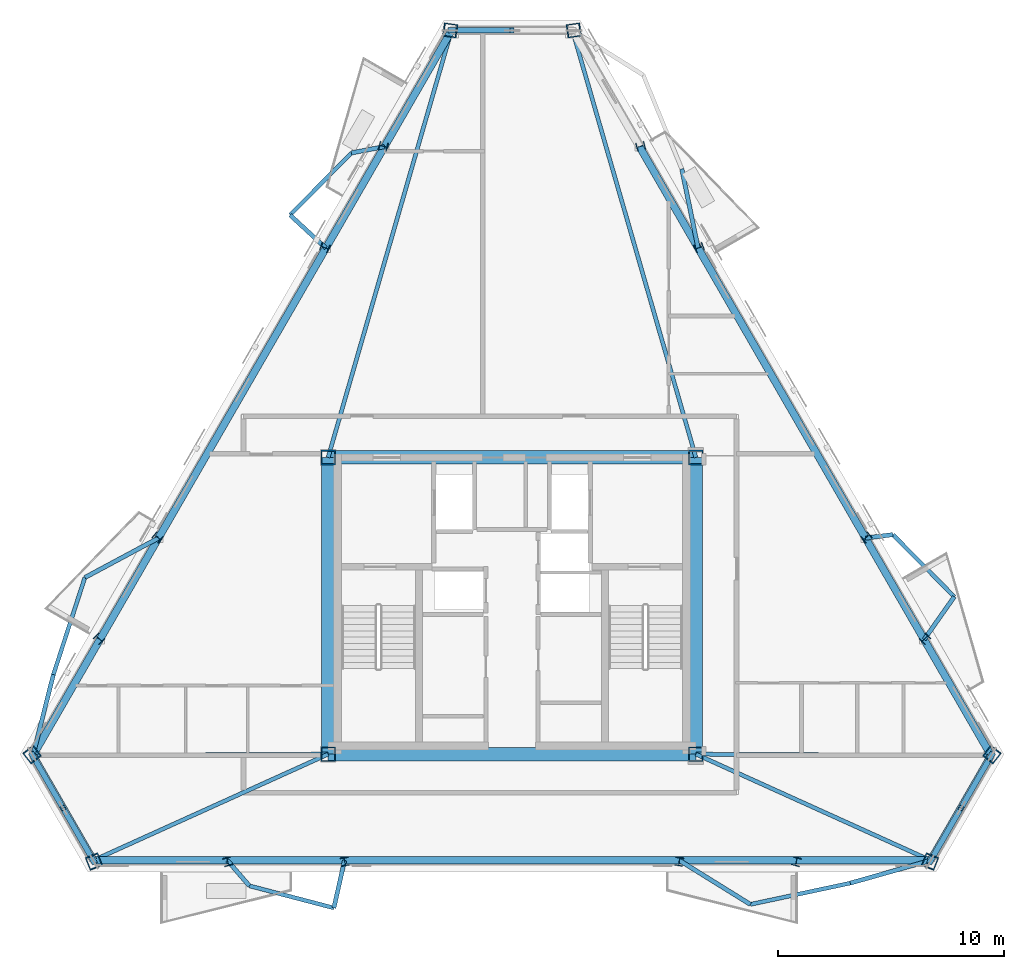
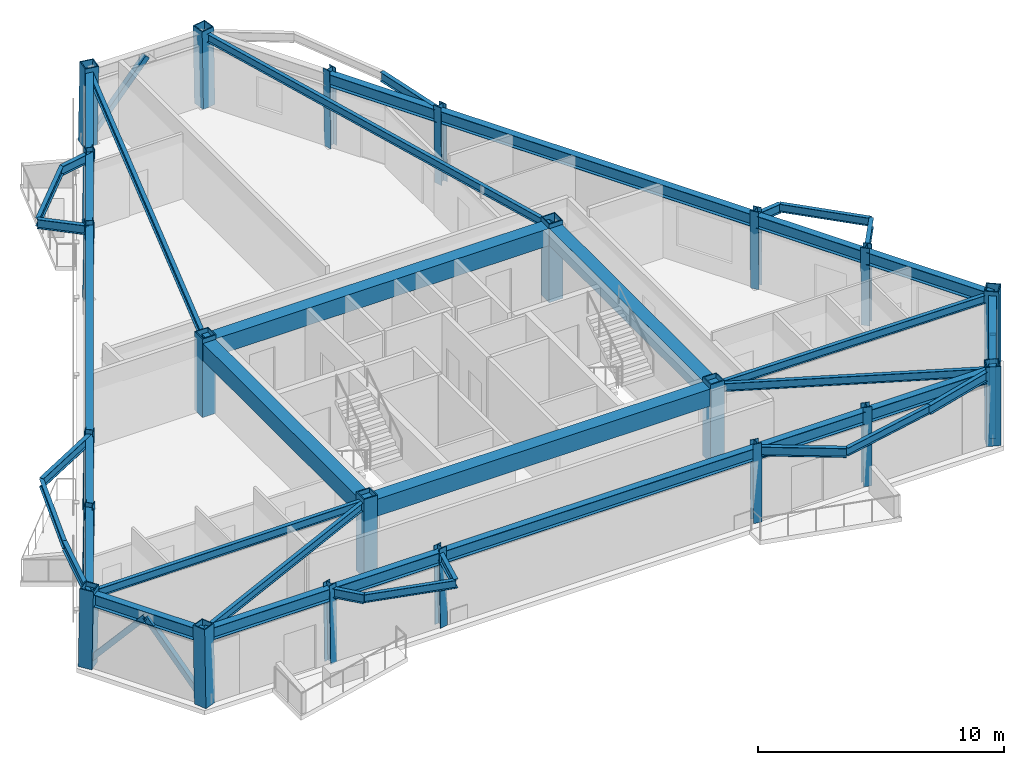
# One storey, part 1 of 9: 42 beams, 22 columns, 5 members.
"""IFC4 building model written with IfcOpenShell, lengths in metres."""

from ifc_helpers import new_model, si_unit, direction, frame, origin, origin_2d, place, context, subcontext, project, spatial, rectangle, hollow_rectangle, i_section, extrude, material, material_profile, profile_set, type_object, element, save


model = new_model("IFC4")

# Units and contexts
model_context = context("Model", 3, precision=1e-05, world=origin(), true_north=direction((0.0, 1.0)))
body_context = subcontext(model_context, "Body", "Model", "MODEL_VIEW")
ifc_project = project(units=[si_unit("LENGTHUNIT", "METRE"), si_unit("AREAUNIT", "SQUARE_METRE"), si_unit("VOLUMEUNIT", "CUBIC_METRE"), si_unit("PLANEANGLEUNIT", "RADIAN"), si_unit("MASSUNIT", "GRAM", prefix="KILO")], contexts=[model_context])

# Site, building, storey
site_placement = place(None, origin())
site = spatial("IfcSite", under=ifc_project, at=site_placement, CompositionType="ELEMENT")
building_placement = place(site_placement, origin())
building = spatial("IfcBuilding", under=site, at=building_placement, Name="Oramaril Tower", CompositionType="ELEMENT")
storey_placement = place(building_placement, frame((0.0, 0.0, 249.89990234375)))
storey = spatial("IfcBuildingStorey", under=building, at=storey_placement, Name="L66", CompositionType="ELEMENT", Elevation=249.89990234375)

# Columns
ifc_material_1 = material(Name="Steel ASTM A572 Gr 50", Category="steel")
ifc_material_profile_1 = material_profile(ifc_material_1, hollow_rectangle(XDim=0.64990234375, YDim=0.64990234375, WallThickness=0.050048828125, at=origin_2d()), Name="BOX650X650X50")
ifc_profile_set_1 = profile_set([ifc_material_profile_1], Name="Steel ASTM A572 Gr 50")
column_type_1 = type_object("IfcColumnType", Name="CT-CC5", PredefinedType="COLUMN", material=ifc_profile_set_1)
for number, where, z_axis, x_axis, name in (
    (1, (29.35009765625, 11.0, 0.0), (0.0, 0.0, 1.0), (1.0, 0.0, 0.0), "L66 Core Column CC-1"),
    (2, (45.64990234375, 11.0, 0.0), (0.0, 0.0, 1.0), (1.0, 0.0, 0.0), "L66 Core Column CC-2"),
    (3, (45.64990234375, 24.14990234375, 0.0), (0.0, 0.0, 1.0), (1.0, 0.0, 0.0), "L66 Core Column CC-3"),
    (4, (29.35009765625, 24.14990234375, 0.0), (0.0, 0.0, 1.0), (1.0, 0.0, 0.0), "L66 Core Column CC-4"),
):
    element("IfcColumn", number, at=place(storey_placement, frame(where, z_axis=z_axis, x_axis=x_axis)), inside=storey, type_object=column_type_1, Name=name, PredefinedType="COLUMN", context=body_context, shape_type="SweptSolid", body=[
        extrude(hollow_rectangle(XDim=0.64990234375, YDim=0.64990234375, WallThickness=0.050048828125, at=origin_2d()), origin(), (0.0, 0.0, 1.0), 3.900146484375),
    ])
ifc_material_2 = material(Name="Steel ASTM A572 Gr 50", Category="steel")
ifc_material_profile_2 = material_profile(ifc_material_2, hollow_rectangle(XDim=0.60009765625, YDim=0.60009765625, WallThickness=0.044921875, at=origin_2d()), Name="BOX600X600X45")
ifc_profile_set_2 = profile_set([ifc_material_profile_2], Name="Steel ASTM A572 Gr 50")
column_type_2 = type_object("IfcColumnType", Name="CT-TC5", PredefinedType="COLUMN", material=ifc_profile_set_2)
for number, where, z_axis, x_axis, name in (
    (5, (16.2255859375, 10.990478515625, 0.004638671875), (0.01053996256, -0.013488642562, 0.99985347212), (0.787968806974, 0.615715160798, 0.0), "L66 Tube Column TC-01"),
    (6, (18.973876953125, 6.23046875, 0.004638671875), (-0.006399263436, 0.015872682837, 0.999853542959), (-0.927461977785, -0.37391747721, 0.0), "L66 Tube Column TC-02"),
    (7, (56.026123046875, 6.23046875, 0.004638671875), (0.006399263436, 0.015872682837, 0.999853542959), (-0.927461977785, 0.37391747721, 0.0), "L66 Tube Column TC-03"),
    (8, (58.7744140625, 10.990478515625, 0.004638671875), (-0.01053996256, -0.013488642562, 0.99985347212), (0.787968806974, -0.615715160798, 0.0), "L66 Tube Column TC-04"),
    (9, (40.248291015625, 43.0791015625, 0.004638671875), (-0.01700194625, -0.002446774553, 0.999852462675), (0.142443955325, -0.989802869056, 0.0), "L66 Tube Column TC-05"),
    (10, (34.751708984375, 43.0791015625, 0.004638671875), (0.01700194625, -0.002446774553, 0.999852462675), (0.142443955325, 0.989802869056, 0.0), "L66 Tube Column TC-06"),
):
    element("IfcColumn", number, at=place(storey_placement, frame(where, z_axis=z_axis, x_axis=x_axis)), inside=storey, type_object=column_type_2, Name=name, PredefinedType="COLUMN", context=body_context, shape_type="SweptSolid", body=[
        extrude(hollow_rectangle(XDim=0.60009765625, YDim=0.60009765625, WallThickness=0.044921875, at=origin_2d()), origin(), (0.0, 0.0, 1.0), 3.891357421875),
    ])
ifc_material_3 = material(Name="Steel ASTM A572 Gr 50", Category="steel")
ifc_material_profile_3 = material_profile(ifc_material_3, i_section(OverallWidth=0.373046875, OverallDepth=0.373046875, WebThickness=0.016357421875, FlangeThickness=0.026123046875, at=origin_2d()), Name="W14X132")
ifc_profile_set_3 = profile_set([ifc_material_profile_3], Name="Steel ASTM A572 Gr 50")
column_type_3 = type_object("IfcColumnType", Name="CT-TF5", PredefinedType="COLUMN", material=ifc_profile_set_3)
for number, where, z_axis, x_axis, name in (
    (11, (24.902099609375, 6.23046875, 0.004638671875), (-0.004328961577, 0.015872859114, 0.999864647057), (-0.964763821238, -0.263117405792, 0.0), "L66 Tube Column TC-07"),
    (12, (30.089599609375, 6.23046875, 0.004638671875), (-0.002572297109, 0.015872955331, 0.99987070793), (-0.98712213433, -0.159968409121, 0.0), "L66 Tube Column TC-08"),
    (13, (44.910400390625, 6.23046875, 0.004638671875), (0.002572297109, 0.015872955331, 0.99987070793), (-0.98712213433, 0.159968409121, 0.0), "L66 Tube Column TC-09"),
    (14, (50.097900390625, 6.23046875, 0.004638671875), (0.004328961577, 0.015872859114, 0.999864647057), (-0.964763821238, 0.263117405792, 0.0), "L66 Tube Column TC-10"),
    (15, (55.810302734375, 16.124755859375, 0.004638671875), (-0.011606626426, -0.011732103468, 0.999863812712), (0.710898156339, -0.703294967502, 0.0), "L66 Tube Column TC-11"),
    (16, (53.216552734375, 20.616943359375, 0.004638671875), (-0.012485055949, -0.010100974914, 0.999871038526), (0.628973435199, -0.777426792575, 0.0), "L66 Tube Column TC-12"),
    (17, (45.80615234375, 33.452392578125, 0.004638671875), (-0.01505734327, -0.005709242657, 0.999870332074), (0.354536784077, -0.935042067896, 0.0), "L66 Tube Column TC-13"),
    (18, (43.21240234375, 37.94482421875, 0.004638671875), (-0.015935594489, -0.004140745025, 0.999864446342), (0.251491081289, -0.96785961587, 0.0), "L66 Tube Column TC-14"),
    (19, (31.78759765625, 37.94482421875, 0.004638671875), (0.015935594489, -0.004140745025, 0.999864446342), (0.251491081289, 0.96785961587, 0.0), "L66 Tube Column TC-15"),
    (20, (29.19384765625, 33.452392578125, 0.004638671875), (0.01505734327, -0.005709242657, 0.999870332074), (0.354536784077, 0.935042067896, 0.0), "L66 Tube Column TC-16"),
    (21, (21.783447265625, 20.6171875, 0.004638671875), (0.012485048013, -0.010163707428, 0.999870402916), (0.6313259102, 0.775517630431, 0.0), "L66 Tube Column TC-17"),
    (22, (19.189697265625, 16.124755859375, 0.004638671875), (0.011606626426, -0.011732103468, 0.999863812712), (0.710898156339, 0.703294967502, 0.0), "L66 Tube Column TC-18"),
):
    element("IfcColumn", number, at=place(storey_placement, frame(where, z_axis=z_axis, x_axis=x_axis)), inside=storey, type_object=column_type_3, Name=name, PredefinedType="COLUMN", context=body_context, shape_type="SweptSolid", body=[
        extrude(i_section(OverallWidth=0.373046875, OverallDepth=0.373046875, WebThickness=0.016357421875, FlangeThickness=0.026123046875, at=origin_2d()), origin(), (0.0, 0.0, 1.0), 3.891357421875),
    ])

# Beams
ifc_material_4 = material(Name="Steel ASTM A572 Gr 50", Category="steel")
ifc_material_profile_4 = material_profile(ifc_material_4, i_section(OverallWidth=0.19091796875, OverallDepth=0.45703125, WebThickness=0.009033203125, FlangeThickness=0.014404296875, at=origin_2d()), Name="W18X50")
ifc_profile_set_4 = profile_set([ifc_material_profile_4], Name="Steel ASTM A572 Gr 50")
beam_type_1 = type_object("IfcBeamType", Name="BT-BB1", PredefinedType="BEAM", material=ifc_profile_set_4)
beam_1_placement = place(storey_placement, frame((24.88525390625, 6.292236328125, 3.45166015625), z_axis=(0.654369545374, -0.756174912363, 0.0), x_axis=(0.756174912363, 0.654369545374, 0.0)))
element("IfcBeam", 23, at=beam_1_placement, inside=storey, type_object=beam_type_1, Name="L66 Balcony Column-Framed Cantilever 01.1", PredefinedType="BEAM", context=body_context, shape_type="SweptSolid", body=[
    extrude(i_section(OverallWidth=0.19091796875, OverallDepth=0.45703125, WebThickness=0.009033203125, FlangeThickness=0.014404296875, at=origin_2d()), origin(), (0.0, 0.0, 1.0), 1.49169921875),
])
beam_2_placement = place(storey_placement, frame((30.07958984375, 6.292236328125, 3.45166015625), z_axis=(-0.219549837647, -0.975601285766, 0.0), x_axis=(0.975601285766, -0.219549837647, 0.0)))
element("IfcBeam", 24, at=beam_2_placement, inside=storey, type_object=beam_type_1, Name="L66 Balcony Column-Framed Cantilever 01.2", PredefinedType="BEAM", context=body_context, shape_type="SweptSolid", body=[
    extrude(i_section(OverallWidth=0.19091796875, OverallDepth=0.45703125, WebThickness=0.009033203125, FlangeThickness=0.014404296875, at=origin_2d()), origin(), (0.0, 0.0, 1.0), 2.16064453125),
])
for number, where, z_axis, x_axis, name in (
    (25, (44.92041015625, 6.292236328125, 3.45166015625), (0.849861318634, -0.527006393784, 0.0), (0.527006393784, 0.849861318634, 0.0), "L66 Balcony Column-Framed Cantilever 02.1"),
    (26, (56.051025390625, 6.292236328125, 3.45166015625), (-0.96224518264, -0.272184144442, 0.0), (0.272184144442, -0.96224518264, 0.0), "L66 Balcony Column-Framed Cantilever 02.2"),
):
    element("IfcBeam", number, at=place(storey_placement, frame(where, z_axis=z_axis, x_axis=x_axis)), inside=storey, type_object=beam_type_1, Name=name, PredefinedType="BEAM", context=body_context, shape_type="SweptSolid", body=[
        extrude(i_section(OverallWidth=0.19091796875, OverallDepth=0.45703125, WebThickness=0.009033203125, FlangeThickness=0.014404296875, at=origin_2d()), origin(), (0.0, 0.0, 1.0), 3.699951171875),
    ])
beam_3_placement = place(storey_placement, frame((55.76513671875, 16.0791015625, 3.45166015625), z_axis=(0.575787524235, 0.817599368233, 0.0), x_axis=(-0.817599368233, 0.575787524235, 0.0)))
element("IfcBeam", 27, at=beam_3_placement, inside=storey, type_object=beam_type_1, Name="L66 Balcony Column-Framed Cantilever 03.1", PredefinedType="BEAM", context=body_context, shape_type="SweptSolid", body=[
    extrude(i_section(OverallWidth=0.19091796875, OverallDepth=0.45703125, WebThickness=0.009033203125, FlangeThickness=0.014404296875, at=origin_2d()), origin(), (0.0, 0.0, 1.0), 2.3232421875),
])
beam_4_placement = place(storey_placement, frame((53.16796875, 20.57763671875, 3.45166015625), z_axis=(0.992145333809, 0.125090513633, 0.0), x_axis=(-0.125090513633, 0.992145333809, 0.0)))
element("IfcBeam", 28, at=beam_4_placement, inside=storey, type_object=beam_type_1, Name="L66 Balcony Column-Framed Cantilever 03.2", PredefinedType="BEAM", context=body_context, shape_type="SweptSolid", body=[
    extrude(i_section(OverallWidth=0.19091796875, OverallDepth=0.45703125, WebThickness=0.009033203125, FlangeThickness=0.014404296875, at=origin_2d()), origin(), (0.0, 0.0, 1.0), 1.2236328125),
])
beam_5_placement = place(storey_placement, frame((45.74755859375, 33.43017578125, 3.45166015625), z_axis=(-0.201776016704, 0.979431691892, 0.0), x_axis=(-0.979431691892, -0.201776016704, 0.0)))
element("IfcBeam", 29, at=beam_5_placement, inside=storey, type_object=beam_type_1, Name="L66 Balcony Column-Framed Cantilever 04.1", PredefinedType="BEAM", context=body_context, shape_type="SweptSolid", body=[
    extrude(i_section(OverallWidth=0.19091796875, OverallDepth=0.45703125, WebThickness=0.009033203125, FlangeThickness=0.014404296875, at=origin_2d()), origin(), (0.0, 0.0, 1.0), 3.58154296875),
])
beam_6_placement = place(storey_placement, frame((31.849609375, 37.9287109375, 3.45166015625), z_axis=(-0.982032121098, -0.188713839271, 0.0), x_axis=(0.188713839271, -0.982032121098, 0.0)))
element("IfcBeam", 30, at=beam_6_placement, inside=storey, type_object=beam_type_1, Name="L66 Balcony Column-Framed Cantilever 05.1", PredefinedType="BEAM", context=body_context, shape_type="SweptSolid", body=[
    extrude(i_section(OverallWidth=0.19091796875, OverallDepth=0.45703125, WebThickness=0.009033203125, FlangeThickness=0.014404296875, at=origin_2d()), origin(), (0.0, 0.0, 1.0), 1.49169921875),
])
beam_7_placement = place(storey_placement, frame((29.25244140625, 33.43017578125, 3.45166015625), z_axis=(-0.735115263646, 0.677942142926, 0.0), x_axis=(-0.677942142926, -0.735115263646, 0.0)))
element("IfcBeam", 31, at=beam_7_placement, inside=storey, type_object=beam_type_1, Name="L66 Balcony Column-Framed Cantilever 05.2", PredefinedType="BEAM", context=body_context, shape_type="SweptSolid", body=[
    extrude(i_section(OverallWidth=0.19091796875, OverallDepth=0.45703125, WebThickness=0.009033203125, FlangeThickness=0.014404296875, at=origin_2d()), origin(), (0.0, 0.0, 1.0), 2.16064453125),
])
beam_8_placement = place(storey_placement, frame((21.83203125, 20.57763671875, 3.45166015625), z_axis=(-0.881329846114, -0.472501536874, 0.0), x_axis=(0.472501536874, -0.881329846114, 0.0)))
element("IfcBeam", 32, at=beam_8_placement, inside=storey, type_object=beam_type_1, Name="L66 Balcony Column-Framed Cantilever 06.1", PredefinedType="BEAM", context=body_context, shape_type="SweptSolid", body=[
    extrude(i_section(OverallWidth=0.19091796875, OverallDepth=0.45703125, WebThickness=0.009033203125, FlangeThickness=0.014404296875, at=origin_2d()), origin(), (0.0, 0.0, 1.0), 3.7001953125),
])
beam_9_placement = place(storey_placement, frame((16.2666015625, 10.93798828125, 3.45166015625), z_axis=(0.245329243552, 0.969439818791, 0.0), x_axis=(-0.969439818791, 0.245329243552, 0.0)))
element("IfcBeam", 33, at=beam_9_placement, inside=storey, type_object=beam_type_1, Name="L66 Balcony Column-Framed Cantilever 06.2", PredefinedType="BEAM", context=body_context, shape_type="SweptSolid", body=[
    extrude(i_section(OverallWidth=0.19091796875, OverallDepth=0.45703125, WebThickness=0.009033203125, FlangeThickness=0.014404296875, at=origin_2d()), origin(), (0.0, 0.0, 1.0), 3.699951171875),
])
ifc_material_5 = material(Name="Concrete C50/60", Category="concrete")
ifc_material_profile_5 = material_profile(ifc_material_5, rectangle(XDim=0.60009765625, YDim=0.85009765625, at=origin_2d()), Name="CB600X850")
ifc_profile_set_5 = profile_set([ifc_material_profile_5], Name="Concrete C50/60")
beam_type_2 = type_object("IfcBeamType", Name="BT-CB2", PredefinedType="BEAM", material=ifc_profile_set_5)
beam_10_placement = place(storey_placement, frame((29.35009765625, 11.0, 3.255126953125), z_axis=(1.0, 0.0, 0.0), x_axis=(0.0, 1.0, 0.0)))
element("IfcBeam", 34, at=beam_10_placement, inside=storey, type_object=beam_type_2, Name="L66 Core Header Beam CB-1", PredefinedType="BEAM", context=body_context, shape_type="SweptSolid", body=[
    extrude(rectangle(XDim=0.60009765625, YDim=0.85009765625, at=origin_2d()), origin(), (0.0, 0.0, 1.0), 16.2998046875),
])
beam_11_placement = place(storey_placement, frame((45.64990234375, 11.0, 3.255126953125), z_axis=(0.0, 1.0, 0.0), x_axis=(-1.0, 0.0, 0.0)))
element("IfcBeam", 35, at=beam_11_placement, inside=storey, type_object=beam_type_2, Name="L66 Core Header Beam CB-2", PredefinedType="BEAM", context=body_context, shape_type="SweptSolid", body=[
    extrude(rectangle(XDim=0.60009765625, YDim=0.85009765625, at=origin_2d()), origin(), (0.0, 0.0, 1.0), 13.14990234375),
])
beam_12_placement = place(storey_placement, frame((45.64990234375, 24.14990234375, 3.255126953125), z_axis=(-1.0, 0.0, 0.0), x_axis=(0.0, -1.0, 0.0)))
element("IfcBeam", 36, at=beam_12_placement, inside=storey, type_object=beam_type_2, Name="L66 Core Header Beam CB-3", PredefinedType="BEAM", context=body_context, shape_type="SweptSolid", body=[
    extrude(rectangle(XDim=0.60009765625, YDim=0.85009765625, at=origin_2d()), origin(), (0.0, 0.0, 1.0), 16.2998046875),
])
beam_13_placement = place(storey_placement, frame((29.35009765625, 24.14990234375, 3.255126953125), z_axis=(0.0, -1.0, 0.0), x_axis=(1.0, 0.0, 0.0)))
element("IfcBeam", 37, at=beam_13_placement, inside=storey, type_object=beam_type_2, Name="L66 Core Header Beam CB-4", PredefinedType="BEAM", context=body_context, shape_type="SweptSolid", body=[
    extrude(rectangle(XDim=0.60009765625, YDim=0.85009765625, at=origin_2d()), origin(), (0.0, 0.0, 1.0), 13.14990234375),
])
ifc_material_6 = material(Name="Steel ASTM A572 Gr 50", Category="steel")
ifc_material_profile_6 = material_profile(ifc_material_6, i_section(OverallWidth=0.177978515625, OverallDepth=0.404052734375, WebThickness=0.007568359375, FlangeThickness=0.010986328125, at=origin_2d()), Name="W16X36")
ifc_profile_set_6 = profile_set([ifc_material_profile_6], Name="Steel ASTM A572 Gr 50")
beam_type_3 = type_object("IfcBeamType", Name="BT-SB1", PredefinedType="BEAM", material=ifc_profile_set_6)
beam_14_placement = place(storey_placement, frame((29.35009765625, 11.0, 3.47802734375), z_axis=(-0.999988767857, -0.004739637004, 0.0), x_axis=(0.004739637004, -0.999988767857, 0.0)))
element("IfcBeam", 38, at=beam_14_placement, inside=storey, type_object=beam_type_3, Name="L66 Radial Primary Beam RB-01", PredefinedType="BEAM", context=body_context, shape_type="SweptSolid", body=[
    extrude(i_section(OverallWidth=0.177978515625, OverallDepth=0.404052734375, WebThickness=0.007568359375, FlangeThickness=0.010986328125, at=origin_2d()), origin(), (0.0, 0.0, 1.0), 13.083740234375),
])
for number, where, z_axis, x_axis, name in (
    (39, (29.35009765625, 11.0, 3.47802734375), (-0.911025880505, -0.41234917855, 0.0), (0.41234917855, -0.911025880505, 0.0), "L66 Radial Primary Beam RB-02"),
    (40, (45.64990234375, 11.0, 3.47802734375), (0.911025880505, -0.41234917855, 0.0), (0.41234917855, 0.911025880505, 0.0), "L66 Radial Primary Beam RB-03"),
):
    element("IfcBeam", number, at=place(storey_placement, frame(where, z_axis=z_axis, x_axis=x_axis)), inside=storey, type_object=beam_type_3, Name=name, PredefinedType="BEAM", context=body_context, shape_type="SweptSolid", body=[
        extrude(i_section(OverallWidth=0.177978515625, OverallDepth=0.404052734375, WebThickness=0.007568359375, FlangeThickness=0.010986328125, at=origin_2d()), origin(), (0.0, 0.0, 1.0), 11.4169921875),
    ])
beam_15_placement = place(storey_placement, frame((45.64990234375, 11.0, 3.47802734375), z_axis=(0.999988767857, -0.004739637004, 0.0), x_axis=(0.004739637004, 0.999988767857, 0.0)))
element("IfcBeam", 41, at=beam_15_placement, inside=storey, type_object=beam_type_3, Name="L66 Radial Primary Beam RB-04", PredefinedType="BEAM", context=body_context, shape_type="SweptSolid", body=[
    extrude(i_section(OverallWidth=0.177978515625, OverallDepth=0.404052734375, WebThickness=0.007568359375, FlangeThickness=0.010986328125, at=origin_2d()), origin(), (0.0, 0.0, 1.0), 13.083740234375),
])
for number, where, z_axis, x_axis, name in (
    (42, (45.64990234375, 24.14990234375, 3.47802734375), (-0.277637542738, 0.960685898128, 0.0), (-0.960685898128, -0.277637542738, 0.0), "L66 Radial Primary Beam RB-05"),
    (43, (29.35009765625, 24.14990234375, 3.47802734375), (0.277637542738, 0.960685898128, 0.0), (-0.960685898128, 0.277637542738, 0.0), "L66 Radial Primary Beam RB-06"),
):
    element("IfcBeam", number, at=place(storey_placement, frame(where, z_axis=z_axis, x_axis=x_axis)), inside=storey, type_object=beam_type_3, Name=name, PredefinedType="BEAM", context=body_context, shape_type="SweptSolid", body=[
        extrude(i_section(OverallWidth=0.177978515625, OverallDepth=0.404052734375, WebThickness=0.007568359375, FlangeThickness=0.010986328125, at=origin_2d()), origin(), (0.0, 0.0, 1.0), 19.69384765625),
    ])
beam_16_placement = place(storey_placement, frame((25.861328125, 5.164306640625, 3.47802734375), z_axis=(0.967407922874, -0.253223045479, 0.0), x_axis=(0.253223045479, 0.967407922874, 0.0)))
element("IfcBeam", 44, at=beam_16_placement, inside=storey, type_object=beam_type_3, Name="L66 Balcony Edge Tie Beam 01", PredefinedType="BEAM", context=body_context, shape_type="SweptSolid", body=[
    extrude(i_section(OverallWidth=0.177978515625, OverallDepth=0.404052734375, WebThickness=0.007568359375, FlangeThickness=0.010986328125, at=origin_2d()), origin(), (0.0, 0.0, 1.0), 3.8701171875),
])
beam_17_placement = place(storey_placement, frame((48.06494140625, 4.34228515625, 3.47802734375), z_axis=(0.978051218358, 0.208364618562, 0.0), x_axis=(-0.208364618562, 0.978051218358, 0.0)))
element("IfcBeam", 45, at=beam_17_placement, inside=storey, type_object=beam_type_3, Name="L66 Balcony Edge Tie Beam 02", PredefinedType="BEAM", context=body_context, shape_type="SweptSolid", body=[
    extrude(i_section(OverallWidth=0.177978515625, OverallDepth=0.404052734375, WebThickness=0.007568359375, FlangeThickness=0.010986328125, at=origin_2d()), origin(), (0.0, 0.0, 1.0), 4.525146484375),
])
for number, where, z_axis, x_axis, name in (
    (46, (57.102783203125, 17.978515625, 3.47802734375), (-0.703026051641, 0.71116409549, 0.0), (-0.71116409549, -0.703026051641, 0.0), "L66 Balcony Edge Tie Beam 03"),
    (47, (30.384765625, 37.647216796875, 3.47802734375), (-0.703026051641, -0.71116409549, 0.0), (0.71116409549, -0.703026051641, 0.0), "L66 Balcony Edge Tie Beam 05"),
):
    element("IfcBeam", number, at=place(storey_placement, frame(where, z_axis=z_axis, x_axis=x_axis)), inside=storey, type_object=beam_type_3, Name=name, PredefinedType="BEAM", context=body_context, shape_type="SweptSolid", body=[
        extrude(i_section(OverallWidth=0.177978515625, OverallDepth=0.404052734375, WebThickness=0.007568359375, FlangeThickness=0.010986328125, at=origin_2d()), origin(), (0.0, 0.0, 1.0), 3.869873046875),
    ])
beam_18_placement = place(storey_placement, frame((18.571044921875, 18.829345703125, 3.47802734375), z_axis=(-0.308643222552, -0.951177880931, 0.0), x_axis=(0.951177880931, -0.308643222552, 0.0)))
element("IfcBeam", 48, at=beam_18_placement, inside=storey, type_object=beam_type_3, Name="L66 Balcony Edge Tie Beam 06", PredefinedType="BEAM", context=body_context, shape_type="SweptSolid", body=[
    extrude(i_section(OverallWidth=0.177978515625, OverallDepth=0.404052734375, WebThickness=0.007568359375, FlangeThickness=0.010986328125, at=origin_2d()), origin(), (0.0, 0.0, 1.0), 4.525390625),
])
ifc_material_7 = material(Name="Steel ASTM A572 Gr 50", Category="steel")
ifc_material_profile_7 = material_profile(ifc_material_7, i_section(OverallWidth=0.324951171875, OverallDepth=0.612060546875, WebThickness=0.0126953125, FlangeThickness=0.01904296875, at=origin_2d()), Name="W24X104")
ifc_profile_set_7 = profile_set([ifc_material_profile_7], Name="Steel ASTM A572 Gr 50")
beam_type_4 = type_object("IfcBeamType", Name="BT-SP5", PredefinedType="SPANDREL", material=ifc_profile_set_7)
beam_19_placement = place(storey_placement, frame((16.2666015625, 10.93798828125, 3.3740234375), z_axis=(0.500020538415, -0.8660135456, 0.0), x_axis=(0.8660135456, 0.500020538415, 0.0)))
element("IfcBeam", 49, at=beam_19_placement, inside=storey, type_object=beam_type_4, Name="L66 Perimeter Spandrel 01", PredefinedType="SPANDREL", context=body_context, shape_type="SweptSolid", body=[
    extrude(i_section(OverallWidth=0.324951171875, OverallDepth=0.612060546875, WebThickness=0.0126953125, FlangeThickness=0.01904296875, at=origin_2d()), origin(), (0.0, 0.0, 1.0), 5.364501953125),
])
beam_20_placement = place(storey_placement, frame((18.948974609375, 6.292236328125, 3.3740234375), z_axis=(1.0, 0.0, 0.0), x_axis=(0.0, 1.0, 0.0)))
element("IfcBeam", 50, at=beam_20_placement, inside=storey, type_object=beam_type_4, Name="L66 Perimeter Spandrel 02", PredefinedType="SPANDREL", context=body_context, shape_type="SweptSolid", body=[
    extrude(i_section(OverallWidth=0.324951171875, OverallDepth=0.612060546875, WebThickness=0.0126953125, FlangeThickness=0.01904296875, at=origin_2d()), origin(), (0.0, 0.0, 1.0), 5.936279296875),
])
beam_21_placement = place(storey_placement, frame((24.88525390625, 6.292236328125, 3.3740234375), z_axis=(1.0, 0.0, 0.0), x_axis=(0.0, 1.0, 0.0)))
element("IfcBeam", 51, at=beam_21_placement, inside=storey, type_object=beam_type_4, Name="L66 Perimeter Spandrel 03", PredefinedType="SPANDREL", context=body_context, shape_type="SweptSolid", body=[
    extrude(i_section(OverallWidth=0.324951171875, OverallDepth=0.612060546875, WebThickness=0.0126953125, FlangeThickness=0.01904296875, at=origin_2d()), origin(), (0.0, 0.0, 1.0), 5.1943359375),
])
beam_22_placement = place(storey_placement, frame((30.07958984375, 6.292236328125, 3.3740234375), z_axis=(1.0, 0.0, 0.0), x_axis=(0.0, 1.0, 0.0)))
element("IfcBeam", 52, at=beam_22_placement, inside=storey, type_object=beam_type_4, Name="L66 Perimeter Spandrel 04", PredefinedType="SPANDREL", context=body_context, shape_type="SweptSolid", body=[
    extrude(i_section(OverallWidth=0.324951171875, OverallDepth=0.612060546875, WebThickness=0.0126953125, FlangeThickness=0.01904296875, at=origin_2d()), origin(), (0.0, 0.0, 1.0), 14.8408203125),
])
beam_23_placement = place(storey_placement, frame((44.92041015625, 6.292236328125, 3.3740234375), z_axis=(1.0, 0.0, 0.0), x_axis=(0.0, 1.0, 0.0)))
element("IfcBeam", 53, at=beam_23_placement, inside=storey, type_object=beam_type_4, Name="L66 Perimeter Spandrel 05", PredefinedType="SPANDREL", context=body_context, shape_type="SweptSolid", body=[
    extrude(i_section(OverallWidth=0.324951171875, OverallDepth=0.612060546875, WebThickness=0.0126953125, FlangeThickness=0.01904296875, at=origin_2d()), origin(), (0.0, 0.0, 1.0), 5.1943359375),
])
beam_24_placement = place(storey_placement, frame((50.11474609375, 6.292236328125, 3.3740234375), z_axis=(1.0, 0.0, 0.0), x_axis=(0.0, 1.0, 0.0)))
element("IfcBeam", 54, at=beam_24_placement, inside=storey, type_object=beam_type_4, Name="L66 Perimeter Spandrel 06", PredefinedType="SPANDREL", context=body_context, shape_type="SweptSolid", body=[
    extrude(i_section(OverallWidth=0.324951171875, OverallDepth=0.612060546875, WebThickness=0.0126953125, FlangeThickness=0.01904296875, at=origin_2d()), origin(), (0.0, 0.0, 1.0), 5.936279296875),
])
beam_25_placement = place(storey_placement, frame((56.051025390625, 6.292236328125, 3.3740234375), z_axis=(0.500020538415, 0.8660135456, 0.0), x_axis=(-0.8660135456, 0.500020538415, 0.0)))
element("IfcBeam", 55, at=beam_25_placement, inside=storey, type_object=beam_type_4, Name="L66 Perimeter Spandrel 07", PredefinedType="SPANDREL", context=body_context, shape_type="SweptSolid", body=[
    extrude(i_section(OverallWidth=0.324951171875, OverallDepth=0.612060546875, WebThickness=0.0126953125, FlangeThickness=0.01904296875, at=origin_2d()), origin(), (0.0, 0.0, 1.0), 5.364501953125),
])
beam_26_placement = place(storey_placement, frame((58.7333984375, 10.93798828125, 3.3740234375), z_axis=(-0.500004874343, 0.866022589563, 0.0), x_axis=(-0.866022589563, -0.500004874343, 0.0)))
element("IfcBeam", 56, at=beam_26_placement, inside=storey, type_object=beam_type_4, Name="L66 Perimeter Spandrel 08", PredefinedType="SPANDREL", context=body_context, shape_type="SweptSolid", body=[
    extrude(i_section(OverallWidth=0.324951171875, OverallDepth=0.612060546875, WebThickness=0.0126953125, FlangeThickness=0.01904296875, at=origin_2d()), origin(), (0.0, 0.0, 1.0), 5.9365234375),
])
beam_27_placement = place(storey_placement, frame((55.76513671875, 16.0791015625, 3.3740234375), z_axis=(-0.499990973765, 0.866030615021, 0.0), x_axis=(-0.866030615021, -0.499990973765, 0.0)))
element("IfcBeam", 57, at=beam_27_placement, inside=storey, type_object=beam_type_4, Name="L66 Perimeter Spandrel 09", PredefinedType="SPANDREL", context=body_context, shape_type="SweptSolid", body=[
    extrude(i_section(OverallWidth=0.324951171875, OverallDepth=0.612060546875, WebThickness=0.0126953125, FlangeThickness=0.01904296875, at=origin_2d()), origin(), (0.0, 0.0, 1.0), 5.1943359375),
])
beam_28_placement = place(storey_placement, frame((53.16796875, 20.57763671875, 3.3740234375), z_axis=(-0.499999659828, 0.866025600183, 0.0), x_axis=(-0.866025600183, -0.499999659828, 0.0)))
element("IfcBeam", 58, at=beam_28_placement, inside=storey, type_object=beam_type_4, Name="L66 Perimeter Spandrel 10", PredefinedType="SPANDREL", context=body_context, shape_type="SweptSolid", body=[
    extrude(i_section(OverallWidth=0.324951171875, OverallDepth=0.612060546875, WebThickness=0.0126953125, FlangeThickness=0.01904296875, at=origin_2d()), origin(), (0.0, 0.0, 1.0), 14.8408203125),
])
beam_29_placement = place(storey_placement, frame((45.74755859375, 33.43017578125, 3.3740234375), z_axis=(-0.499990973765, 0.866030615021, 0.0), x_axis=(-0.866030615021, -0.499990973765, 0.0)))
element("IfcBeam", 59, at=beam_29_placement, inside=storey, type_object=beam_type_4, Name="L66 Perimeter Spandrel 11", PredefinedType="SPANDREL", context=body_context, shape_type="SweptSolid", body=[
    extrude(i_section(OverallWidth=0.324951171875, OverallDepth=0.612060546875, WebThickness=0.0126953125, FlangeThickness=0.01904296875, at=origin_2d()), origin(), (0.0, 0.0, 1.0), 5.1943359375),
])
beam_30_placement = place(storey_placement, frame((34.81787109375, 43.069580078125, 3.3740234375), z_axis=(-0.500022682888, -0.866012307417, 0.0), x_axis=(0.866012307417, -0.500022682888, 0.0)))
element("IfcBeam", 60, at=beam_30_placement, inside=storey, type_object=beam_type_4, Name="L66 Perimeter Spandrel 14", PredefinedType="SPANDREL", context=body_context, shape_type="SweptSolid", body=[
    extrude(i_section(OverallWidth=0.324951171875, OverallDepth=0.612060546875, WebThickness=0.0126953125, FlangeThickness=0.01904296875, at=origin_2d()), origin(), (0.0, 0.0, 1.0), 5.936279296875),
])
beam_31_placement = place(storey_placement, frame((31.849609375, 37.9287109375, 3.3740234375), z_axis=(-0.499990973765, -0.866030615021, 0.0), x_axis=(0.866030615021, -0.499990973765, 0.0)))
element("IfcBeam", 61, at=beam_31_placement, inside=storey, type_object=beam_type_4, Name="L66 Perimeter Spandrel 15", PredefinedType="SPANDREL", context=body_context, shape_type="SweptSolid", body=[
    extrude(i_section(OverallWidth=0.324951171875, OverallDepth=0.612060546875, WebThickness=0.0126953125, FlangeThickness=0.01904296875, at=origin_2d()), origin(), (0.0, 0.0, 1.0), 5.1943359375),
])
beam_32_placement = place(storey_placement, frame((29.25244140625, 33.43017578125, 3.3740234375), z_axis=(-0.499999659828, -0.866025600183, 0.0), x_axis=(0.866025600183, -0.499999659828, 0.0)))
element("IfcBeam", 62, at=beam_32_placement, inside=storey, type_object=beam_type_4, Name="L66 Perimeter Spandrel 16", PredefinedType="SPANDREL", context=body_context, shape_type="SweptSolid", body=[
    extrude(i_section(OverallWidth=0.324951171875, OverallDepth=0.612060546875, WebThickness=0.0126953125, FlangeThickness=0.01904296875, at=origin_2d()), origin(), (0.0, 0.0, 1.0), 14.8408203125),
])
beam_33_placement = place(storey_placement, frame((21.83203125, 20.57763671875, 3.3740234375), z_axis=(-0.499990973765, -0.866030615021, 0.0), x_axis=(0.866030615021, -0.499990973765, 0.0)))
element("IfcBeam", 63, at=beam_33_placement, inside=storey, type_object=beam_type_4, Name="L66 Perimeter Spandrel 17", PredefinedType="SPANDREL", context=body_context, shape_type="SweptSolid", body=[
    extrude(i_section(OverallWidth=0.324951171875, OverallDepth=0.612060546875, WebThickness=0.0126953125, FlangeThickness=0.01904296875, at=origin_2d()), origin(), (0.0, 0.0, 1.0), 5.1943359375),
])
beam_34_placement = place(storey_placement, frame((19.23486328125, 16.0791015625, 3.3740234375), z_axis=(-0.500004874343, -0.866022589563, 0.0), x_axis=(0.866022589563, -0.500004874343, 0.0)))
element("IfcBeam", 64, at=beam_34_placement, inside=storey, type_object=beam_type_4, Name="L66 Perimeter Spandrel 18", PredefinedType="SPANDREL", context=body_context, shape_type="SweptSolid", body=[
    extrude(i_section(OverallWidth=0.324951171875, OverallDepth=0.612060546875, WebThickness=0.0126953125, FlangeThickness=0.01904296875, at=origin_2d()), origin(), (0.0, 0.0, 1.0), 5.9365234375),
])

# Members
ifc_material_8 = material(Name="Steel ASTM A572 Gr 50", Category="steel")
ifc_material_profile_8 = material_profile(ifc_material_8, hollow_rectangle(XDim=0.25, YDim=0.25, WallThickness=0.011962890625, at=origin_2d()), Name="HSS250X250X12")
ifc_profile_set_8 = profile_set([ifc_material_profile_8], Name="Steel ASTM A572 Gr 50")
member_type = type_object("IfcMemberType", Name="MT-KB3", PredefinedType="BRACE", material=ifc_profile_set_8)
member_1_placement = place(storey_placement, frame((16.2255859375, 10.990478515625, 0.18017578125), z_axis=(0.326110698964, -0.564841345683, 0.758027747664), x_axis=(0.866025804792, 0.499999305434, 0.0)))
element("IfcMember", 65, at=member_1_placement, inside=storey, type_object=member_type, Name="L66 Perimeter Chevron Brace KB-1A", PredefinedType="BRACE", context=body_context, shape_type="SweptSolid", body=[
    extrude(hollow_rectangle(XDim=0.25, YDim=0.25, WallThickness=0.011962890625, at=origin_2d()), origin(), (0.0, 0.0, 1.0), 4.21337890625),
])
for number, where, z_axis, x_axis, name in (
    (66, (18.973876953125, 6.23046875, 0.18017578125), (-0.326151804846, 0.5648701271, 0.757988614496), (-0.86600954718, -0.50002746344, 0.0), "L66 Perimeter Chevron Brace KB-1B"),
    (67, (56.026123046875, 6.23046875, 0.18017578125), (0.326151804846, 0.5648701271, 0.757988614496), (-0.86600954718, 0.50002746344, 0.0), "L66 Perimeter Chevron Brace KB-2A"),
):
    element("IfcMember", number, at=place(storey_placement, frame(where, z_axis=z_axis, x_axis=x_axis)), inside=storey, type_object=member_type, Name=name, PredefinedType="BRACE", context=body_context, shape_type="SweptSolid", body=[
        extrude(hollow_rectangle(XDim=0.25, YDim=0.25, WallThickness=0.011962890625, at=origin_2d()), origin(), (0.0, 0.0, 1.0), 4.213623046875),
    ])
member_2_placement = place(storey_placement, frame((58.7744140625, 10.990478515625, 0.18017578125), z_axis=(-0.326110698964, -0.564841345683, 0.758027747664), x_axis=(0.866025804792, -0.499999305434, 0.0)))
element("IfcMember", 68, at=member_2_placement, inside=storey, type_object=member_type, Name="L66 Perimeter Chevron Brace KB-2B", PredefinedType="BRACE", context=body_context, shape_type="SweptSolid", body=[
    extrude(hollow_rectangle(XDim=0.25, YDim=0.25, WallThickness=0.011962890625, at=origin_2d()), origin(), (0.0, 0.0, 1.0), 4.21337890625),
])
member_3_placement = place(storey_placement, frame((34.751708984375, 43.0791015625, 0.18017578125), z_axis=(0.652255076681, 0.0, 0.757999548116), x_axis=(0.0, 1.0, 0.0)))
element("IfcMember", 69, at=member_3_placement, inside=storey, type_object=member_type, Name="L66 Perimeter Chevron Brace KB-3B", PredefinedType="BRACE", context=body_context, shape_type="SweptSolid", body=[
    extrude(hollow_rectangle(XDim=0.25, YDim=0.25, WallThickness=0.011962890625, at=origin_2d()), origin(), (0.0, 0.0, 1.0), 4.213623046875),
])

save(model, "model.ifc")
